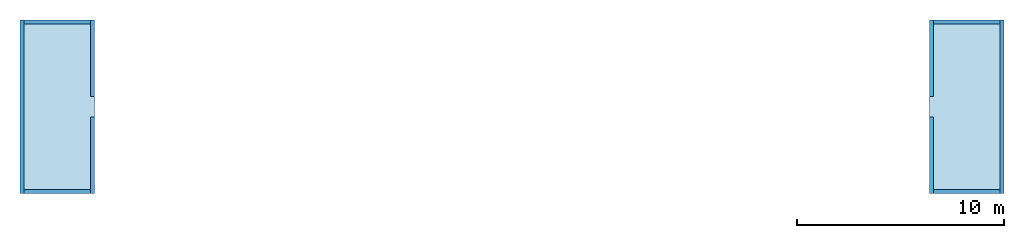
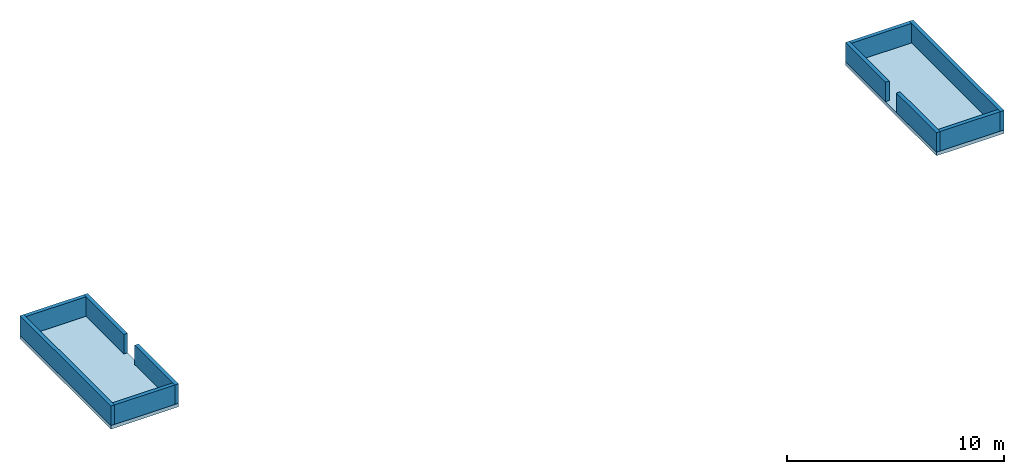
# One storey: 10 walls, 2 slabs.
"""IFC4 building model written with IfcOpenShell, lengths in metres."""

from ifc_helpers import new_model, si_unit, direction, frame, frame_2d, origin, place, context, subcontext, project, spatial, polyline, rectangle, outline, extrude, material, layer, layer_set, type_object, element, save


model = new_model("IFC4")

# Units and contexts
model_context = context("Model", 3, precision=1e-05, world=origin(), true_north=direction((0.0, 1.0)))
body_context = subcontext(model_context, "Body", "Model", "MODEL_VIEW")
ifc_project = project(units=[si_unit("LENGTHUNIT", "METRE"), si_unit("AREAUNIT", "SQUARE_METRE"), si_unit("VOLUMEUNIT", "CUBIC_METRE"), si_unit("PLANEANGLEUNIT", "RADIAN"), si_unit("MASSUNIT", "GRAM", prefix="KILO")], contexts=[model_context])

# Site, building, storey
site_placement = place(None, origin())
site = spatial("IfcSite", under=ifc_project, at=site_placement, CompositionType="ELEMENT")
building_placement = place(site_placement, origin())
building = spatial("IfcBuilding", under=site, at=building_placement, Name="Brigalow Station Residences", CompositionType="ELEMENT")
storey_placement = place(building_placement, frame((0.0, 0.0, 246.89990234375)))
storey = spatial("IfcBuildingStorey", under=building, at=storey_placement, Name="Upper Roof", CompositionType="ELEMENT", Elevation=246.89990234375)

# Slabs
ifc_material_1 = material(Name="Concrete C50", Category="concrete")
ifc_layer_1 = layer(ifc_material_1, 0.199951171875)
ifc_layer_set_1 = layer_set([ifc_layer_1], Name="STAIR HEAD HOUSE ROOF 200")
slab_type = type_object("IfcSlabType", Name="STAIR HEAD HOUSE ROOF 200", PredefinedType="ROOF", material=ifc_layer_set_1)
slab_1_placement = place(storey_placement, frame((0.0, 0.0, -0.199951171875)))
element("IfcSlab", 1, at=slab_1_placement, inside=storey, type_object=slab_type, Name="STAIR S1 HEAD HOUSE ROOF", PredefinedType="ROOF", context=body_context, shape_type="SweptSolid", body=[
    extrude(outline(polyline([(12.199951171875, 27.0), (15.800048828125, 27.0), (15.800048828125, 35.39990234375), (12.199951171875, 35.39990234375), (12.199951171875, 27.0)])), origin(), (0.0, 0.0, 1.0), 0.199951171875),
])
slab_2_placement = place(storey_placement, frame((0.0, 0.0, -0.199951171875)))
element("IfcSlab", 2, at=slab_2_placement, inside=storey, type_object=slab_type, Name="STAIR S3 HEAD HOUSE ROOF", PredefinedType="ROOF", context=body_context, shape_type="SweptSolid", body=[
    extrude(outline(polyline([(56.199951171875, 27.0), (59.800048828125, 27.0), (59.800048828125, 35.39990234375), (56.199951171875, 35.39990234375), (56.199951171875, 27.0)])), origin(), (0.0, 0.0, 1.0), 0.199951171875),
])

# Walls
ifc_material_2 = material(Name="Concrete C50", Category="concrete")
ifc_layer_2 = layer(ifc_material_2, 0.199951171875)
ifc_layer_set_2 = layer_set([ifc_layer_2], Name="STAIR HEAD HOUSE PARAPET 200x1100 C50")
wall_type = type_object("IfcWallType", Name="STAIR HEAD HOUSE PARAPET 200x1100 C50", PredefinedType="PARAPET", material=ifc_layer_set_2)
wall_1_placement = place(storey_placement, frame((12.300048828125, 27.0, 0.0), z_axis=(0.0, 0.0, 1.0), x_axis=(0.0, 1.0, 0.0)))
element("IfcWall", 3, at=wall_1_placement, inside=storey, type_object=wall_type, Name="STAIR S1 HEAD HOUSE PARAPET", PredefinedType="PARAPET", context=body_context, shape_type="SweptSolid", body=[
    extrude(rectangle(XDim=8.39990234375, YDim=0.199951171875, at=frame_2d((4.199951171875, 0.0))), origin(), (0.0, 0.0, 1.0), 1.10009765625),
])
for number, where, z_axis, x_axis, name in (
    (4, (12.39990234375, 27.10009765625, 0.0), (0.0, 0.0, 1.0), (1.0, 0.0, 0.0), "STAIR S1 HEAD HOUSE PARAPET"),
    (5, (12.39990234375, 35.300048828125, 0.0), (0.0, 0.0, 1.0), (1.0, 0.0, 0.0), "STAIR S1 HEAD HOUSE PARAPET"),
):
    element("IfcWall", number, at=place(storey_placement, frame(where, z_axis=z_axis, x_axis=x_axis)), inside=storey, type_object=wall_type, Name=name, PredefinedType="PARAPET", context=body_context, shape_type="SweptSolid", body=[
        extrude(rectangle(XDim=3.2001953125, YDim=0.199951171875, at=frame_2d((1.60009765625, 0.0))), origin(), (0.0, 0.0, 1.0), 1.10009765625),
    ])
for number, where, z_axis, x_axis, name in (
    (6, (15.699951171875, 27.0, 0.0), (0.0, 0.0, 1.0), (0.0, 1.0, 0.0), "STAIR S1 HEAD HOUSE PARAPET"),
    (7, (15.699951171875, 31.699951171875, 0.0), (0.0, 0.0, 1.0), (0.0, 1.0, 0.0), "STAIR S1 HEAD HOUSE PARAPET"),
):
    element("IfcWall", number, at=place(storey_placement, frame(where, z_axis=z_axis, x_axis=x_axis)), inside=storey, type_object=wall_type, Name=name, PredefinedType="PARAPET", context=body_context, shape_type="SweptSolid", body=[
        extrude(rectangle(XDim=3.699951171875, YDim=0.199951171875, at=frame_2d((1.85009765625, 0.0))), origin(), (0.0, 0.0, 1.0), 1.10009765625),
    ])
wall_2_placement = place(storey_placement, frame((59.699951171875, 27.0, 0.0), z_axis=(0.0, 0.0, 1.0), x_axis=(0.0, 1.0, 0.0)))
element("IfcWall", 8, at=wall_2_placement, inside=storey, type_object=wall_type, Name="STAIR S3 HEAD HOUSE PARAPET", PredefinedType="PARAPET", context=body_context, shape_type="SweptSolid", body=[
    extrude(rectangle(XDim=8.39990234375, YDim=0.199951171875, at=frame_2d((4.199951171875, 0.0))), origin(), (0.0, 0.0, 1.0), 1.10009765625),
])
for number, where, z_axis, x_axis, name in (
    (9, (56.39990234375, 27.10009765625, 0.0), (0.0, 0.0, 1.0), (1.0, 0.0, 0.0), "STAIR S3 HEAD HOUSE PARAPET"),
    (10, (56.39990234375, 35.300048828125, 0.0), (0.0, 0.0, 1.0), (1.0, 0.0, 0.0), "STAIR S3 HEAD HOUSE PARAPET"),
):
    element("IfcWall", number, at=place(storey_placement, frame(where, z_axis=z_axis, x_axis=x_axis)), inside=storey, type_object=wall_type, Name=name, PredefinedType="PARAPET", context=body_context, shape_type="SweptSolid", body=[
        extrude(rectangle(XDim=3.2001953125, YDim=0.199951171875, at=frame_2d((1.60009765625, 0.0))), origin(), (0.0, 0.0, 1.0), 1.10009765625),
    ])
for number, where, z_axis, x_axis, name in (
    (11, (56.300048828125, 27.0, 0.0), (0.0, 0.0, 1.0), (0.0, 1.0, 0.0), "STAIR S3 HEAD HOUSE PARAPET"),
    (12, (56.300048828125, 31.699951171875, 0.0), (0.0, 0.0, 1.0), (0.0, 1.0, 0.0), "STAIR S3 HEAD HOUSE PARAPET"),
):
    element("IfcWall", number, at=place(storey_placement, frame(where, z_axis=z_axis, x_axis=x_axis)), inside=storey, type_object=wall_type, Name=name, PredefinedType="PARAPET", context=body_context, shape_type="SweptSolid", body=[
        extrude(rectangle(XDim=3.699951171875, YDim=0.199951171875, at=frame_2d((1.85009765625, 0.0))), origin(), (0.0, 0.0, 1.0), 1.10009765625),
    ])

save(model, "model.ifc")
